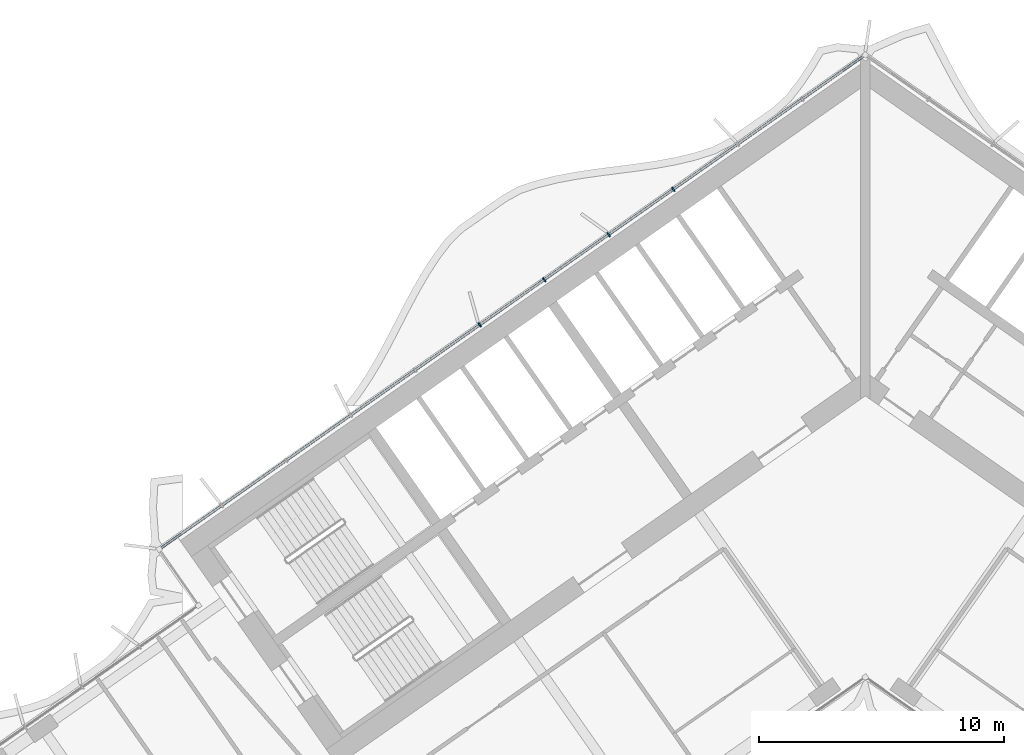
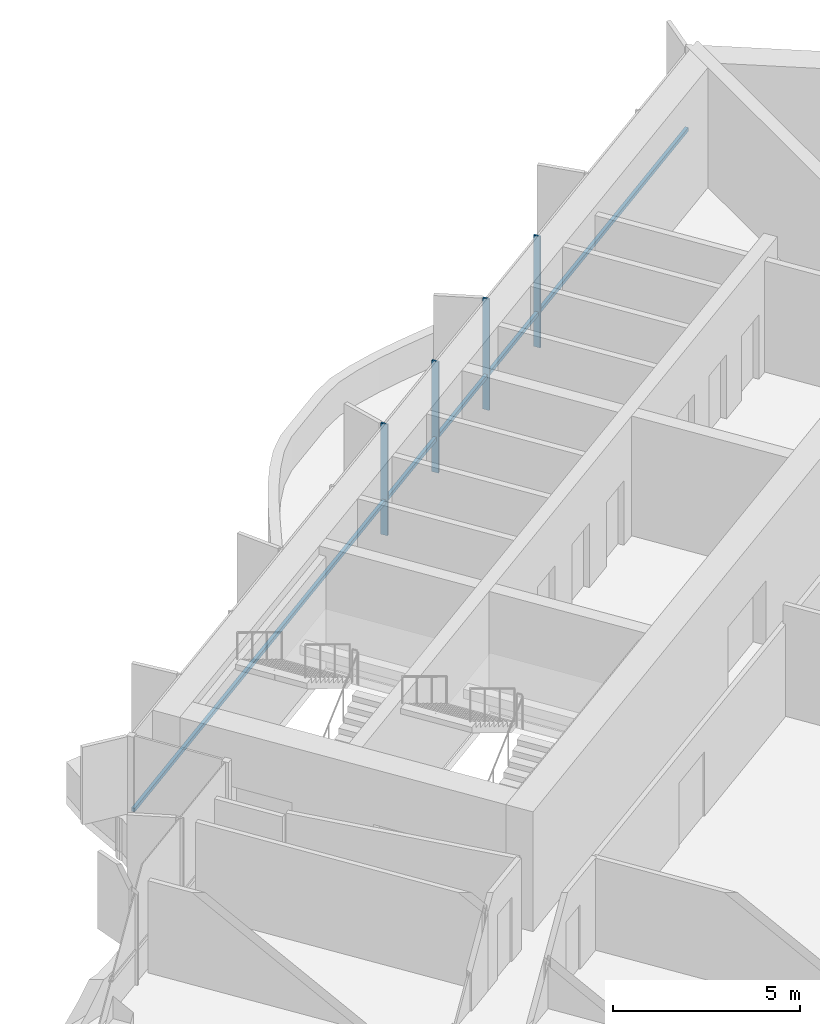
# One storey, part 8 of 23: 5 members, 1 element without a shape of its own.
"""IFC4 building model written with IfcOpenShell, lengths in metres."""

from ifc_helpers import new_model, si_unit, direction, frame, origin, origin_2d, place, context, subcontext, project, spatial, rectangle, extrude, material, material_profile, profile_set, type_object, element, aggregate, save


model = new_model("IFC4")

# Units and contexts
model_context = context("Model", 3, precision=1e-05, world=origin(), true_north=direction((0.0, 1.0)))
body_context = subcontext(model_context, "Body", "Model", "MODEL_VIEW")
ifc_project = project(units=[si_unit("LENGTHUNIT", "METRE"), si_unit("AREAUNIT", "SQUARE_METRE"), si_unit("VOLUMEUNIT", "CUBIC_METRE"), si_unit("PLANEANGLEUNIT", "RADIAN"), si_unit("MASSUNIT", "GRAM", prefix="KILO")], contexts=[model_context])

# Site, building, storey
site_placement = place(None, origin())
site = spatial("IfcSite", under=ifc_project, at=site_placement, CompositionType="ELEMENT")
building_placement = place(site_placement, origin())
building = spatial("IfcBuilding", under=site, at=building_placement, Name="Tel Ilan Convention Tower", CompositionType="ELEMENT")
storey_placement = place(building_placement, frame((0.0, 0.0, 174.89990234375)))
storey = spatial("IfcBuildingStorey", under=building, at=storey_placement, Name="L40", CompositionType="ELEMENT", Elevation=174.89990234375)

# Curtain wall, members
ifc_material_1 = material(Name="Aluminium, bronze anodised", Category="aluminium")
curtain_wall_type = type_object("IfcCurtainWallType", Name="CW2 STICK CURTAIN WALL, SPANDREL PANELS", PredefinedType="NOTDEFINED", material=ifc_material_1)
curtain_wall_placement = place(storey_placement, origin())
curtain_wall = element("IfcCurtainWall", 1, at=curtain_wall_placement, inside=storey, type_object=curtain_wall_type, Name="Curtain wall CW2-31.01", PredefinedType="NOTDEFINED")
ifc_material_2 = material(Name="Aluminium, bronze anodised", Category="aluminium")
ifc_material_profile_1 = material_profile(ifc_material_2, rectangle(XDim=0.06005859375, YDim=0.199951171875, at=origin_2d()), Name="CW MULLION 60x200")
ifc_profile_set_1 = profile_set([ifc_material_profile_1], Name="Aluminium, bronze anodised")
member_type_1 = type_object("IfcMemberType", Name="CW MULLION 60x200", PredefinedType="MULLION", material=ifc_profile_set_1)
member_1_placement = place(storey_placement, frame((-7.840576171875, 7.2060546875, 0.0), z_axis=(0.0, 0.0, 1.0), x_axis=(-0.819152044289, -0.573576436351, 0.0)))
member_1 = element("IfcMember", 2, at=member_1_placement, type_object=member_type_1, Name="Mullion", PredefinedType="MULLION", context=body_context, shape_type="SweptSolid", body=[
    extrude(rectangle(XDim=0.06005859375, YDim=0.199951171875, at=origin_2d()), origin(), (0.0, 0.0, 1.0), 3.6201171875),
])
member_2_placement = place(storey_placement, frame((-10.47314453125, 5.36279296875, 0.0), z_axis=(0.0, 0.0, 1.0), x_axis=(-0.819152044289, -0.573576436351, 0.0)))
member_2 = element("IfcMember", 3, at=member_2_placement, type_object=member_type_1, Name="Mullion", PredefinedType="MULLION", context=body_context, shape_type="SweptSolid", body=[
    extrude(rectangle(XDim=0.06005859375, YDim=0.199951171875, at=origin_2d()), origin(), (0.0, 0.0, 1.0), 3.6201171875),
])
member_3_placement = place(storey_placement, frame((-13.105712890625, 3.519287109375, 0.0), z_axis=(0.0, 0.0, 1.0), x_axis=(-0.819152044289, -0.573576436351, 0.0)))
member_3 = element("IfcMember", 4, at=member_3_placement, type_object=member_type_1, Name="Mullion", PredefinedType="MULLION", context=body_context, shape_type="SweptSolid", body=[
    extrude(rectangle(XDim=0.06005859375, YDim=0.199951171875, at=origin_2d()), origin(), (0.0, 0.0, 1.0), 3.6201171875),
])
member_4_placement = place(storey_placement, frame((-15.73828125, 1.676025390625, 0.0), z_axis=(0.0, 0.0, 1.0), x_axis=(-0.819152044289, -0.573576436351, 0.0)))
member_4 = element("IfcMember", 5, at=member_4_placement, type_object=member_type_1, Name="Mullion", PredefinedType="MULLION", context=body_context, shape_type="SweptSolid", body=[
    extrude(rectangle(XDim=0.06005859375, YDim=0.199951171875, at=origin_2d()), origin(), (0.0, 0.0, 1.0), 3.6201171875),
])
ifc_material_3 = material(Name="Aluminium, bronze anodised", Category="aluminium")
ifc_material_profile_2 = material_profile(ifc_material_3, rectangle(XDim=0.10009765625, YDim=0.1201171875, at=origin_2d()), Name="CW TRANSOM 100x120")
ifc_profile_set_2 = profile_set([ifc_material_profile_2], Name="Aluminium, bronze anodised")
member_type_2 = type_object("IfcMemberType", Name="CW TRANSOM 100x120", PredefinedType="USERDEFINED", material=ifc_profile_set_2)
member_5_placement = place(storey_placement, frame((-0.1064453125, 12.62158203125, 1.10009765625), z_axis=(-0.819150201937, -0.573579067494, 0.0), x_axis=(0.573579067494, -0.819150201937, 0.0)))
member_5 = element("IfcMember", 6, at=member_5_placement, type_object=member_type_2, Name="Transom", ObjectType="TRANSOM", PredefinedType="USERDEFINED", context=body_context, shape_type="SweptSolid", body=[
    extrude(rectangle(XDim=0.10009765625, YDim=0.1201171875, at=origin_2d()), origin(), (0.0, 0.0, 1.0), 34.9521484375),
])
aggregate(curtain_wall, [member_1, member_2, member_3, member_4, member_5])

save(model, "model.ifc")
